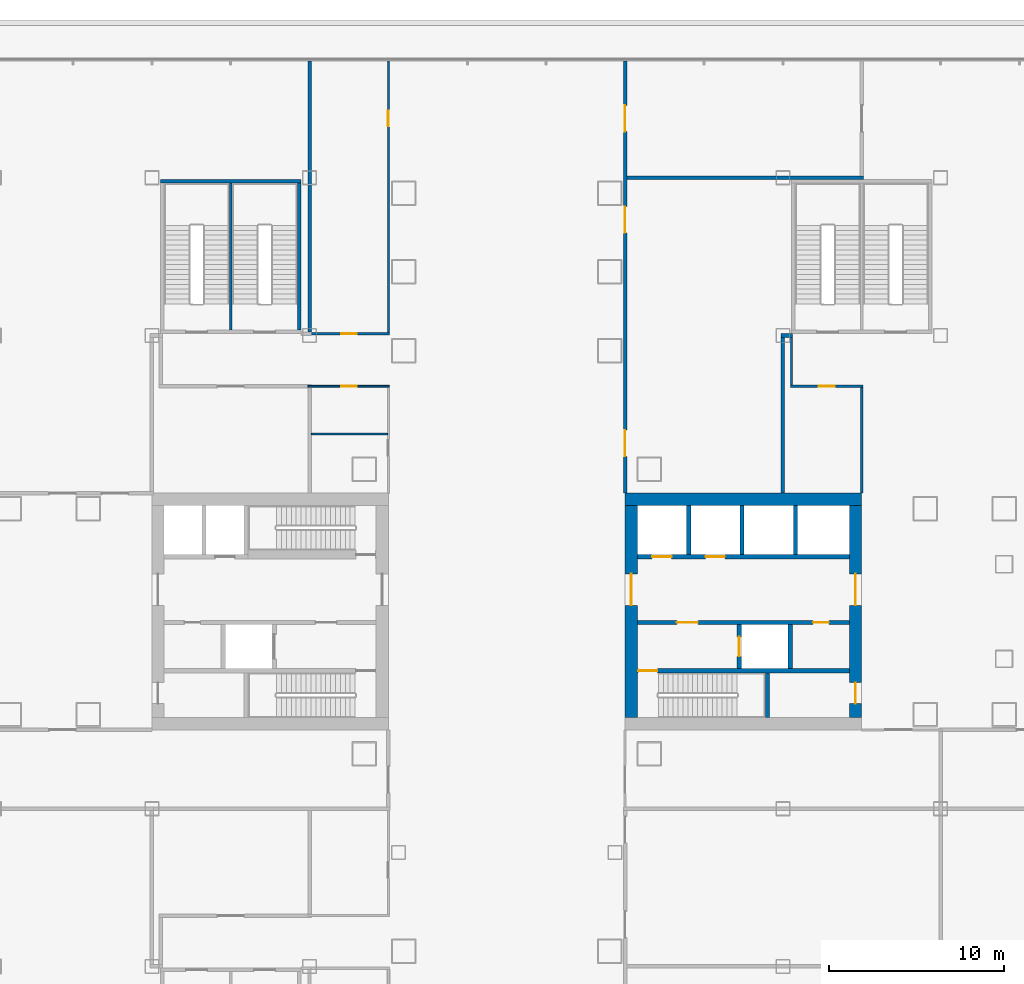
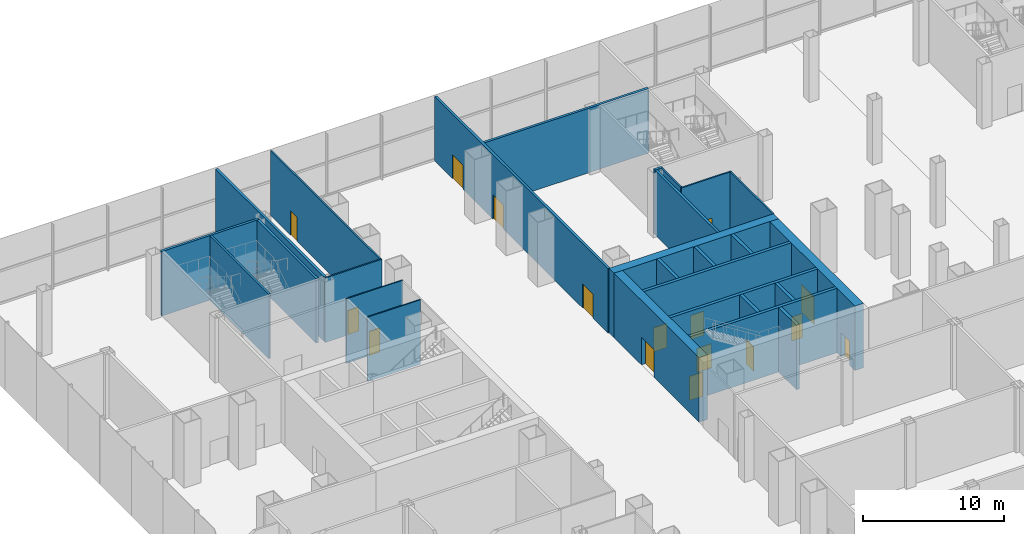
# One storey, part 24 of 38: 27 walls, 16 doors, 16 openings.
"""IFC4 building model written with IfcOpenShell, lengths in metres."""

from ifc_helpers import new_model, si_unit, direction, frame, frame_2d, origin, place, context, subcontext, project, spatial, rectangle, extrude, material, layer, layer_set, type_object, element, fill, save


model = new_model("IFC4")

# Units and contexts
model_context = context("Model", 3, precision=1e-05, world=origin(), true_north=direction((0.0, 1.0)))
body_context = subcontext(model_context, "Body", "Model", "MODEL_VIEW")
ifc_project = project(units=[si_unit("LENGTHUNIT", "METRE"), si_unit("AREAUNIT", "SQUARE_METRE"), si_unit("VOLUMEUNIT", "CUBIC_METRE"), si_unit("PLANEANGLEUNIT", "RADIAN"), si_unit("MASSUNIT", "GRAM", prefix="KILO")], contexts=[model_context])

# Site, building, storey
site_placement = place(None, origin())
site = spatial("IfcSite", under=ifc_project, at=site_placement, CompositionType="ELEMENT")
building_placement = place(site_placement, origin())
building = spatial("IfcBuilding", under=site, at=building_placement, Name="Shamsa Quay Exchange Towers", CompositionType="ELEMENT")
storey_placement = place(building_placement, frame((0.0, 0.0, 12.5)))
storey = spatial("IfcBuildingStorey", under=building, at=storey_placement, Name="L02", CompositionType="ELEMENT", Elevation=12.5)

# Wall, openings, doors
ifc_material_1 = material(Name="Double-leaf gypsum board partition with acoustic insulation")
ifc_layer_1 = layer(ifc_material_1, 0.199951171875)
ifc_layer_set_1 = layer_set([ifc_layer_1], Name="Acoustic partition 200 mm EI 60")
wall_type_1 = type_object("IfcWallType", Name="Acoustic partition 200 mm EI 60", PredefinedType="PARTITIONING", material=ifc_layer_set_1)
wall_1_placement = place(storey_placement, frame((-27.0, 6.75, 0.0), z_axis=(0.0, 0.0, 1.0), x_axis=(0.0, 1.0, 0.0)))
wall_1 = element("IfcWall", 1, at=wall_1_placement, inside=storey, type_object=wall_type_1, Name="Partition PD-L02-W02", PredefinedType="PARTITIONING", context=body_context, shape_type="SweptSolid", body=[
    extrude(rectangle(XDim=24.655029296875, YDim=0.199951171875, at=frame_2d((12.32763671875, 0.0))), origin(), (0.0, 0.0, 1.0), 5.60009765625),
])
opening_1_placement = place(wall_1_placement, frame((2.10009765625, 0.0, 0.0)))
opening_1 = element("IfcOpeningElement", 2, at=opening_1_placement, cuts=wall_1, Name="Opening PD-L02-D20", PredefinedType="OPENING", context=body_context, shape_type="SweptSolid", body=[
    extrude(rectangle(XDim=1.5, YDim=2.10009765625, at=frame_2d((0.75, 1.050048828125))), frame((0.0, 0.10986328125, 0.0), z_axis=(0.0, -1.0, 0.0), x_axis=(1.0, 0.0, 0.0)), (0.0, 0.0, 1.0), 0.219970703125),
])
opening_2_placement = place(wall_1_placement, frame((14.85009765625, 0.0, 0.0)))
opening_2 = element("IfcOpeningElement", 3, at=opening_2_placement, cuts=wall_1, Name="Opening PD-L02-D21", PredefinedType="OPENING", context=body_context, shape_type="SweptSolid", body=[
    extrude(rectangle(XDim=1.5, YDim=2.10009765625, at=frame_2d((0.75, 1.050048828125))), frame((0.0, 0.10986328125, 0.0), z_axis=(0.0, -1.0, 0.0), x_axis=(1.0, 0.0, 0.0)), (0.0, 0.0, 1.0), 0.219970703125),
])
opening_3_placement = place(wall_1_placement, frame((20.625, 0.0, 0.0)))
opening_3 = element("IfcOpeningElement", 4, at=opening_3_placement, cuts=wall_1, Name="Opening PD-L02-D22", PredefinedType="OPENING", context=body_context, shape_type="SweptSolid", body=[
    extrude(rectangle(XDim=1.5, YDim=2.10009765625, at=frame_2d((0.75, 1.050048828125))), frame((0.0, 0.10986328125, 0.0), z_axis=(0.0, -1.0, 0.0), x_axis=(1.0, 0.0, 0.0)), (0.0, 0.0, 1.0), 0.219970703125),
])
ifc_material_2 = material(Name="Timber door leaf in a metal frame", Category="wood")
door_type_1 = type_object("IfcDoorType", Name="Door 1500x2100 FD30S pair", OperationType="NOTDEFINED", PredefinedType="DOOR", material=ifc_material_2)
door_1_placement = place(opening_1_placement, origin())
door_1 = element("IfcDoor", 5, at=door_1_placement, inside=storey, type_object=door_type_1, Name="Door PD-L02-D20", OperationType="DOUBLE_DOOR_SINGLE_SWING", OverallHeight=2.10009765625, OverallWidth=1.5, PredefinedType="DOOR", context=body_context, shape_type="SweptSolid", body=[
    extrude(rectangle(XDim=1.5, YDim=2.10009765625, at=frame_2d((0.75, 1.050048828125))), frame((0.0, 0.02490234375, 0.0), z_axis=(0.0, -1.0, 0.0), x_axis=(1.0, 0.0, 0.0)), (0.0, 0.0, 1.0), 0.050048828125),
])
fill(opening_1, door_1)
door_2_placement = place(opening_2_placement, origin())
door_2 = element("IfcDoor", 6, at=door_2_placement, inside=storey, type_object=door_type_1, Name="Door PD-L02-D21", OperationType="DOUBLE_DOOR_SINGLE_SWING", OverallHeight=2.10009765625, OverallWidth=1.5, PredefinedType="DOOR", context=body_context, shape_type="SweptSolid", body=[
    extrude(rectangle(XDim=1.5, YDim=2.10009765625, at=frame_2d((0.75, 1.050048828125))), frame((0.0, 0.02490234375, 0.0), z_axis=(0.0, -1.0, 0.0), x_axis=(1.0, 0.0, 0.0)), (0.0, 0.0, 1.0), 0.050048828125),
])
fill(opening_2, door_2)
door_3_placement = place(opening_3_placement, origin())
door_3 = element("IfcDoor", 7, at=door_3_placement, inside=storey, type_object=door_type_1, Name="Door PD-L02-D22", OperationType="DOUBLE_DOOR_SINGLE_SWING", OverallHeight=2.10009765625, OverallWidth=1.5, PredefinedType="DOOR", context=body_context, shape_type="SweptSolid", body=[
    extrude(rectangle(XDim=1.5, YDim=2.10009765625, at=frame_2d((0.75, 1.050048828125))), frame((0.0, 0.02490234375, 0.0), z_axis=(0.0, -1.0, 0.0), x_axis=(1.0, 0.0, 0.0)), (0.0, 0.0, 1.0), 0.050048828125),
])
fill(opening_3, door_3)

# Walls
wall_2_placement = place(storey_placement, frame((-45.0, 15.94970703125, 0.0), z_axis=(0.0, 0.0, 1.0), x_axis=(0.0, 1.0, 0.0)))
element("IfcWall", 8, at=wall_2_placement, inside=storey, type_object=wall_type_1, Name="Partition PD-L02-W72", PredefinedType="PARTITIONING", context=body_context, shape_type="SweptSolid", body=[
    extrude(rectangle(XDim=15.455322265625, YDim=0.199951171875, at=frame_2d((7.7275390625, 0.0))), origin(), (0.0, 0.0, 1.0), 5.60009765625),
])
wall_3_placement = place(storey_placement, frame((-18.10009765625, 15.75, 0.0)))
element("IfcWall", 9, at=wall_3_placement, inside=storey, type_object=wall_type_1, Name="Partition PD-L02-W75", PredefinedType="PARTITIONING", context=body_context, shape_type="SweptSolid", body=[
    extrude(rectangle(XDim=0.66259765625, YDim=0.199951171875, at=frame_2d((0.331298828125, 0.0))), origin(), (0.0, 0.0, 1.0), 5.60009765625),
])
wall_4_placement = place(storey_placement, frame((-13.39990234375, 24.75, 0.0), z_axis=(0.0, 0.0, 1.0), x_axis=(-1.0, 0.0, 0.0)))
element("IfcWall", 10, at=wall_4_placement, inside=storey, type_object=wall_type_1, Name="Partition PD-L02-W79", PredefinedType="PARTITIONING", context=body_context, shape_type="SweptSolid", body=[
    extrude(rectangle(XDim=13.5, YDim=0.199951171875, at=frame_2d((6.75, 0.0))), origin(), (0.0, 0.0, 1.0), 5.60009765625),
])
wall_5_placement = place(storey_placement, frame((-18.0, 6.75, 0.0), z_axis=(0.0, 0.0, 1.0), x_axis=(0.0, 1.0, 0.0)))
element("IfcWall", 11, at=wall_5_placement, inside=storey, type_object=wall_type_1, Name="Partition PD-L02-W80", PredefinedType="PARTITIONING", context=body_context, shape_type="SweptSolid", body=[
    extrude(rectangle(XDim=8.89990234375, YDim=0.199951171875, at=frame_2d((4.449951171875, 0.0))), origin(), (0.0, 0.0, 1.0), 5.60009765625),
])
ifc_material_3 = material(Name="Concrete C80/95", Category="concrete")
ifc_layer_2 = layer(ifc_material_3, 0.699951171875)
ifc_layer_set_2 = layer_set([ifc_layer_2], Name="CORE WALL 700 C80/95")
wall_type_2 = type_object("IfcWallType", Name="CORE WALL 700 C80/95", PredefinedType="SHEAR", material=ifc_layer_set_2)
wall_6_placement = place(storey_placement, frame((-27.0, 6.39990234375, 0.0)))
element("IfcWall", 12, at=wall_6_placement, inside=storey, type_object=wall_type_2, Name="Core wall T1A-L02-PN", PredefinedType="SHEAR", context=body_context, shape_type="SweptSolid", body=[
    extrude(rectangle(XDim=13.5, YDim=0.699951171875, at=frame_2d((6.75, 0.0))), origin(), (0.0, 0.0, 1.0), 5.60009765625),
])

# Wall, opening, door
wall_7_placement = place(storey_placement, frame((-26.64990234375, 6.050048828125, 0.0), z_axis=(0.0, 0.0, 1.0), x_axis=(0.0, -1.0, 0.0)))
wall_7 = element("IfcWall", 13, at=wall_7_placement, inside=storey, type_object=wall_type_2, Name="Core wall T1A-L02-PF", PredefinedType="SHEAR", context=body_context, shape_type="SweptSolid", body=[
    extrude(rectangle(XDim=12.10009765625, YDim=0.699951171875, at=frame_2d((6.050048828125, 0.0))), origin(), (0.0, 0.0, 1.0), 5.60009765625),
])
opening_4_placement = place(wall_7_placement, frame((3.89990234375, 0.0, 0.0)))
opening_4 = element("IfcOpeningElement", 14, at=opening_4_placement, cuts=wall_7, Name="Opening T1A-L02-LBD01", PredefinedType="OPENING", context=body_context, shape_type="SweptSolid", body=[
    extrude(rectangle(XDim=1.800048828125, YDim=2.39990234375, at=frame_2d((0.89990234375, 1.199951171875))), frame((0.0, 0.35986328125, 0.0), z_axis=(0.0, -1.0, 0.0), x_axis=(1.0, 0.0, 0.0)), (0.0, 0.0, 1.0), 0.719970703125),
])
ifc_material_4 = material(Name="Steel, fire rated", Category="steel")
door_type_2 = type_object("IfcDoorType", Name="LIFT LOBBY DOOR PAIR 1800", OperationType="DOUBLE_DOOR_SINGLE_SWING", PredefinedType="DOOR", material=ifc_material_4)
door_4_placement = place(opening_4_placement, origin())
door_4 = element("IfcDoor", 15, at=door_4_placement, inside=storey, type_object=door_type_2, Name="T1A-L02-LBD01", OperationType="DOUBLE_DOOR_SINGLE_SWING", OverallHeight=2.39990234375, OverallWidth=1.800048828125, PredefinedType="DOOR", context=body_context, shape_type="SweptSolid", body=[
    extrude(rectangle(XDim=1.800048828125, YDim=2.39990234375, at=frame_2d((0.89990234375, 1.199951171875))), frame((0.0, 0.02490234375, 0.0), z_axis=(0.0, -1.0, 0.0), x_axis=(1.0, 0.0, 0.0)), (0.0, 0.0, 1.0), 0.050048828125),
])
fill(opening_4, door_4)

# Wall, openings, doors
wall_8_placement = place(storey_placement, frame((-13.85009765625, 6.050048828125, 0.0), z_axis=(0.0, 0.0, 1.0), x_axis=(0.0, -1.0, 0.0)))
wall_8 = element("IfcWall", 16, at=wall_8_placement, inside=storey, type_object=wall_type_2, Name="Core wall T1A-L02-PB", PredefinedType="SHEAR", context=body_context, shape_type="SweptSolid", body=[
    extrude(rectangle(XDim=12.10009765625, YDim=0.699951171875, at=frame_2d((6.050048828125, 0.0))), origin(), (0.0, 0.0, 1.0), 5.60009765625),
])
opening_5_placement = place(wall_8_placement, frame((10.10009765625, 0.0, 0.0)))
opening_5 = element("IfcOpeningElement", 17, at=opening_5_placement, cuts=wall_8, Name="Opening T1A-L02-RD02", PredefinedType="OPENING", context=body_context, shape_type="SweptSolid", body=[
    extrude(rectangle(XDim=1.199951171875, YDim=2.10009765625, at=frame_2d((0.60009765625, 1.050048828125))), frame((0.0, 0.35986328125, 0.0), z_axis=(0.0, -1.0, 0.0), x_axis=(1.0, 0.0, 0.0)), (0.0, 0.0, 1.0), 0.719970703125),
])
opening_6_placement = place(wall_8_placement, frame((3.89990234375, 0.0, 0.0)))
opening_6 = element("IfcOpeningElement", 18, at=opening_6_placement, cuts=wall_8, Name="Opening T1A-L02-LBD03", PredefinedType="OPENING", context=body_context, shape_type="SweptSolid", body=[
    extrude(rectangle(XDim=1.800048828125, YDim=2.39990234375, at=frame_2d((0.89990234375, 1.199951171875))), frame((0.0, 0.35986328125, 0.0), z_axis=(0.0, -1.0, 0.0), x_axis=(1.0, 0.0, 0.0)), (0.0, 0.0, 1.0), 0.719970703125),
])
door_5_placement = place(opening_6_placement, origin())
door_5 = element("IfcDoor", 19, at=door_5_placement, inside=storey, type_object=door_type_2, Name="T1A-L02-LBD03", OperationType="DOUBLE_DOOR_SINGLE_SWING", OverallHeight=2.39990234375, OverallWidth=1.800048828125, PredefinedType="DOOR", context=body_context, shape_type="SweptSolid", body=[
    extrude(rectangle(XDim=1.800048828125, YDim=2.39990234375, at=frame_2d((0.89990234375, 1.199951171875))), frame((0.0, 0.02490234375, 0.0), z_axis=(0.0, -1.0, 0.0), x_axis=(1.0, 0.0, 0.0)), (0.0, 0.0, 1.0), 0.050048828125),
])
fill(opening_6, door_5)
door_type_3 = type_object("IfcDoorType", Name="RISER ACCESS DOOR 1200", OperationType="SINGLE_SWING_LEFT", PredefinedType="DOOR", material=ifc_material_4)
door_6_placement = place(opening_5_placement, origin())
door_6 = element("IfcDoor", 20, at=door_6_placement, inside=storey, type_object=door_type_3, Name="T1A-L02-RD02", OperationType="SINGLE_SWING_RIGHT", OverallHeight=2.10009765625, OverallWidth=1.199951171875, PredefinedType="DOOR", context=body_context, shape_type="SweptSolid", body=[
    extrude(rectangle(XDim=1.199951171875, YDim=2.10009765625, at=frame_2d((0.60009765625, 1.050048828125))), frame((0.0, 0.02490234375, 0.0), z_axis=(0.0, -1.0, 0.0), x_axis=(1.0, 0.0, 0.0)), (0.0, 0.0, 1.0), 0.050048828125),
])
fill(opening_5, door_6)

# Wall, opening, door
ifc_material_5 = material(Name="Laminated fire-resisting glass in a metal frame", Category="glass")
ifc_layer_3 = layer(ifc_material_5, 0.125)
ifc_layer_set_3 = layer_set([ifc_layer_3], Name="Glazed partition 125 mm EI 60")
wall_type_3 = type_object("IfcWallType", Name="Glazed partition 125 mm EI 60", PredefinedType="PARTITIONING", material=ifc_layer_set_3)
wall_9_placement = place(storey_placement, frame((-40.5, 31.405029296875, 0.0), z_axis=(0.0, 0.0, 1.0), x_axis=(0.0, -1.0, 0.0)))
wall_9 = element("IfcWall", 21, at=wall_9_placement, inside=storey, type_object=wall_type_3, Name="Partition PD-L02-W06", PredefinedType="PARTITIONING", context=body_context, shape_type="SweptSolid", body=[
    extrude(rectangle(XDim=15.492919921875, YDim=0.125, at=frame_2d((7.74658203125, 0.0))), origin(), (0.0, 0.0, 1.0), 5.60009765625),
])
opening_7_placement = place(wall_9_placement, frame((2.830078125, 0.0, 0.0)))
opening_7 = element("IfcOpeningElement", 22, at=opening_7_placement, cuts=wall_9, Name="Opening PD-L02-D15", PredefinedType="OPENING", context=body_context, shape_type="SweptSolid", body=[
    extrude(rectangle(XDim=0.89990234375, YDim=2.10009765625, at=frame_2d((0.449951171875, 1.050048828125))), frame((0.0, 0.072509765625, 0.0), z_axis=(0.0, -1.0, 0.0), x_axis=(1.0, 0.0, 0.0)), (0.0, 0.0, 1.0), 0.14501953125),
])
door_type_4 = type_object("IfcDoorType", Name="Door 900x2100 FD30S", OperationType="NOTDEFINED", PredefinedType="DOOR", material=ifc_material_2)
door_7_placement = place(opening_7_placement, origin())
door_7 = element("IfcDoor", 23, at=door_7_placement, inside=storey, type_object=door_type_4, Name="Door PD-L02-D15", OperationType="SINGLE_SWING_RIGHT", OverallHeight=2.10009765625, OverallWidth=0.89990234375, PredefinedType="DOOR", context=body_context, shape_type="SweptSolid", body=[
    extrude(rectangle(XDim=0.89990234375, YDim=2.10009765625, at=frame_2d((0.449951171875, 1.050048828125))), frame((0.0, 0.02490234375, 0.0), z_axis=(0.0, -1.0, 0.0), x_axis=(1.0, 0.0, 0.0)), (0.0, 0.0, 1.0), 0.050048828125),
])
fill(opening_7, door_7)

# Wall
wall_10_placement = place(storey_placement, frame((-13.5, 6.75, 0.0), z_axis=(0.0, 0.0, 1.0), x_axis=(0.0, 1.0, 0.0)))
element("IfcWall", 24, at=wall_10_placement, inside=storey, type_object=wall_type_3, Name="Partition PD-L02-W24", PredefinedType="PARTITIONING", context=body_context, shape_type="SweptSolid", body=[
    extrude(rectangle(XDim=6.037109375, YDim=0.125, at=frame_2d((3.0185546875, 0.0))), origin(), (0.0, 0.0, 1.0), 5.60009765625),
])

# Wall, opening, door
wall_11_placement = place(storey_placement, frame((-40.4375, 15.849609375, 0.0), z_axis=(0.0, 0.0, 1.0), x_axis=(-1.0, 0.0, 0.0)))
wall_11 = element("IfcWall", 25, at=wall_11_placement, inside=storey, type_object=wall_type_3, Name="Partition PD-L02-W37", PredefinedType="PARTITIONING", context=body_context, shape_type="SweptSolid", body=[
    extrude(rectangle(XDim=4.66259765625, YDim=0.125, at=frame_2d((2.331298828125, 0.0))), origin(), (0.0, 0.0, 1.0), 5.60009765625),
])
opening_8_placement = place(wall_11_placement, frame((1.862548828125, 0.0, 0.0)))
opening_8 = element("IfcOpeningElement", 26, at=opening_8_placement, cuts=wall_11, Name="Opening PD-L02-D14", PredefinedType="OPENING", context=body_context, shape_type="SweptSolid", body=[
    extrude(rectangle(XDim=0.89990234375, YDim=2.10009765625, at=frame_2d((0.449951171875, 1.050048828125))), frame((0.0, 0.072509765625, 0.0), z_axis=(0.0, -1.0, 0.0), x_axis=(1.0, 0.0, 0.0)), (0.0, 0.0, 1.0), 0.14501953125),
])
door_8_placement = place(opening_8_placement, origin())
door_8 = element("IfcDoor", 27, at=door_8_placement, inside=storey, type_object=door_type_4, Name="Door PD-L02-D14", OperationType="SINGLE_SWING_RIGHT", OverallHeight=2.10009765625, OverallWidth=0.89990234375, PredefinedType="DOOR", context=body_context, shape_type="SweptSolid", body=[
    extrude(rectangle(XDim=0.89990234375, YDim=2.10009765625, at=frame_2d((0.449951171875, 1.050048828125))), frame((0.0, 0.02490234375, 0.0), z_axis=(0.0, -1.0, 0.0), x_axis=(1.0, 0.0, 0.0)), (0.0, 0.0, 1.0), 0.050048828125),
])
fill(opening_8, door_8)

wall_12_placement = place(storey_placement, frame((-13.4375, 12.849609375, 0.0), z_axis=(0.0, 0.0, 1.0), x_axis=(-1.0, 0.0, 0.0)))
wall_12 = element("IfcWall", 28, at=wall_12_placement, inside=storey, type_object=wall_type_3, Name="Partition PD-L02-W44", PredefinedType="PARTITIONING", context=body_context, shape_type="SweptSolid", body=[
    extrude(rectangle(XDim=4.125, YDim=0.125, at=frame_2d((2.0625, 0.0))), origin(), (0.0, 0.0, 1.0), 5.60009765625),
])
opening_9_placement = place(wall_12_placement, frame((1.612548828125, 0.0, 0.0)))
opening_9 = element("IfcOpeningElement", 29, at=opening_9_placement, cuts=wall_12, Name="Opening PD-L02-D24", PredefinedType="OPENING", context=body_context, shape_type="SweptSolid", body=[
    extrude(rectangle(XDim=0.89990234375, YDim=2.10009765625, at=frame_2d((0.449951171875, 1.050048828125))), frame((0.0, 0.072509765625, 0.0), z_axis=(0.0, -1.0, 0.0), x_axis=(1.0, 0.0, 0.0)), (0.0, 0.0, 1.0), 0.14501953125),
])
door_9_placement = place(opening_9_placement, origin())
door_9 = element("IfcDoor", 30, at=door_9_placement, inside=storey, type_object=door_type_4, Name="Door PD-L02-D24", OperationType="SINGLE_SWING_LEFT", OverallHeight=2.10009765625, OverallWidth=0.89990234375, PredefinedType="DOOR", context=body_context, shape_type="SweptSolid", body=[
    extrude(rectangle(XDim=0.89990234375, YDim=2.10009765625, at=frame_2d((0.449951171875, 1.050048828125))), frame((0.0, 0.02490234375, 0.0), z_axis=(0.0, -1.0, 0.0), x_axis=(1.0, 0.0, 0.0)), (0.0, 0.0, 1.0), 0.050048828125),
])
fill(opening_9, door_9)

# Wall
wall_13_placement = place(storey_placement, frame((-17.5, 12.912109375, 0.0), z_axis=(0.0, 0.0, 1.0), x_axis=(0.0, 1.0, 0.0)))
element("IfcWall", 31, at=wall_13_placement, inside=storey, type_object=wall_type_3, Name="Partition PD-L02-W45", PredefinedType="PARTITIONING", context=body_context, shape_type="SweptSolid", body=[
    extrude(rectangle(XDim=2.73779296875, YDim=0.125, at=frame_2d((1.368896484375, 0.0))), origin(), (0.0, 0.0, 1.0), 5.60009765625),
])

# Wall, opening, door
ifc_material_6 = material(Name="Gypsum board partition on metal studs")
ifc_layer_4 = layer(ifc_material_6, 0.10009765625)
ifc_layer_set_4 = layer_set([ifc_layer_4], Name="Partition 100 mm NOT RATED")
wall_type_4 = type_object("IfcWallType", Name="Partition 100 mm NOT RATED", PredefinedType="PARTITIONING", material=ifc_layer_set_4)
wall_14_placement = place(storey_placement, frame((-40.449951171875, 12.849609375, 0.0), z_axis=(0.0, 0.0, 1.0), x_axis=(-1.0, 0.0, 0.0)))
wall_14 = element("IfcWall", 32, at=wall_14_placement, inside=storey, type_object=wall_type_4, Name="Partition PD-L02-W41", PredefinedType="PARTITIONING", context=body_context, shape_type="SweptSolid", body=[
    extrude(rectangle(XDim=4.650146484375, YDim=0.10009765625, at=frame_2d((2.3251953125, 0.0))), origin(), (0.0, 0.0, 1.0), 5.60009765625),
])
opening_10_placement = place(wall_14_placement, frame((1.85009765625, 0.0, 0.0)))
opening_10 = element("IfcOpeningElement", 33, at=opening_10_placement, cuts=wall_14, Name="Opening PD-L02-D13", PredefinedType="OPENING", context=body_context, shape_type="SweptSolid", body=[
    extrude(rectangle(XDim=0.89990234375, YDim=2.10009765625, at=frame_2d((0.449951171875, 1.050048828125))), frame((0.0, 0.06005859375, 0.0), z_axis=(0.0, -1.0, 0.0), x_axis=(1.0, 0.0, 0.0)), (0.0, 0.0, 1.0), 0.1201171875),
])
door_type_5 = type_object("IfcDoorType", Name="Door 900x2100 NOT RATED", OperationType="NOTDEFINED", PredefinedType="DOOR", material=ifc_material_2)
door_10_placement = place(opening_10_placement, origin())
door_10 = element("IfcDoor", 34, at=door_10_placement, inside=storey, type_object=door_type_5, Name="Door PD-L02-D13", OperationType="SINGLE_SWING_LEFT", OverallHeight=2.10009765625, OverallWidth=0.89990234375, PredefinedType="DOOR", context=body_context, shape_type="SweptSolid", body=[
    extrude(rectangle(XDim=0.89990234375, YDim=2.10009765625, at=frame_2d((0.449951171875, 1.050048828125))), frame((0.0, 0.02490234375, 0.0), z_axis=(0.0, -1.0, 0.0), x_axis=(1.0, 0.0, 0.0)), (0.0, 0.0, 1.0), 0.050048828125),
])
fill(opening_10, door_10)

# Wall
wall_15_placement = place(storey_placement, frame((-40.550048828125, 10.125, 0.0), z_axis=(0.0, 0.0, 1.0), x_axis=(-1.0, 0.0, 0.0)))
element("IfcWall", 35, at=wall_15_placement, inside=storey, type_object=wall_type_4, Name="Partition PD-L02-W96", PredefinedType="PARTITIONING", context=body_context, shape_type="SweptSolid", body=[
    extrude(rectangle(XDim=4.349853515625, YDim=0.10009765625, at=frame_2d((2.1748046875, 0.0))), origin(), (0.0, 0.0, 1.0), 5.60009765625),
])

# Wall, opening, door
ifc_material_7 = material(Name="Concrete C50/60", Category="concrete")
ifc_layer_5 = layer(ifc_material_7, 0.25)
ifc_layer_set_5 = layer_set([ifc_layer_5], Name="SHAFT WALL 250 C50/60")
wall_type_5 = type_object("IfcWallType", Name="SHAFT WALL 250 C50/60", PredefinedType="SHEAR", material=ifc_layer_set_5)
wall_16_placement = place(storey_placement, frame((-14.199951171875, -3.375, 0.0), z_axis=(0.0, 0.0, 1.0), x_axis=(-1.0, 0.0, 0.0)))
wall_16 = element("IfcWall", 36, at=wall_16_placement, inside=storey, type_object=wall_type_5, Name="Shaft wall T1A-L02-STL", PredefinedType="SHEAR", context=body_context, shape_type="SweptSolid", body=[
    extrude(rectangle(XDim=12.10009765625, YDim=0.25, at=frame_2d((6.050048828125, 0.0))), origin(), (0.0, 0.0, 1.0), 5.60009765625),
])
opening_11_placement = place(wall_16_placement, frame((10.949951171875, 0.0, 0.0)))
opening_11 = element("IfcOpeningElement", 37, at=opening_11_placement, cuts=wall_16, Name="Opening T1A-L02-SD04", PredefinedType="OPENING", context=body_context, shape_type="SweptSolid", body=[
    extrude(rectangle(XDim=1.10009765625, YDim=2.10009765625, at=frame_2d((0.550048828125, 1.050048828125))), frame((0.0, 0.135009765625, 0.0), z_axis=(0.0, -1.0, 0.0), x_axis=(1.0, 0.0, 0.0)), (0.0, 0.0, 1.0), 0.27001953125),
])
door_type_6 = type_object("IfcDoorType", Name="STAIR DOOR 1100", OperationType="SINGLE_SWING_LEFT", PredefinedType="DOOR", material=ifc_material_4)
door_11_placement = place(opening_11_placement, origin())
door_11 = element("IfcDoor", 38, at=door_11_placement, inside=storey, type_object=door_type_6, Name="T1A-L02-SD04", OperationType="SINGLE_SWING_RIGHT", OverallHeight=2.10009765625, OverallWidth=1.10009765625, PredefinedType="DOOR", context=body_context, shape_type="SweptSolid", body=[
    extrude(rectangle(XDim=1.10009765625, YDim=2.10009765625, at=frame_2d((0.550048828125, 1.050048828125))), frame((0.0, 0.02490234375, 0.0), z_axis=(0.0, -1.0, 0.0), x_axis=(1.0, 0.0, 0.0)), (0.0, 0.0, 1.0), 0.050048828125),
])
fill(opening_11, door_11)

# Wall
wall_17_placement = place(storey_placement, frame((-18.875, -6.050048828125, 0.0), z_axis=(0.0, 0.0, 1.0), x_axis=(0.0, 1.0, 0.0)))
element("IfcWall", 39, at=wall_17_placement, inside=storey, type_object=wall_type_5, Name="Shaft wall T1A-L02-STF", PredefinedType="SHEAR", context=body_context, shape_type="SweptSolid", body=[
    extrude(rectangle(XDim=2.550048828125, YDim=0.25, at=frame_2d((1.27490234375, 0.0))), origin(), (0.0, 0.0, 1.0), 5.60009765625),
])

# Wall, openings, doors
wall_18_placement = place(storey_placement, frame((-14.199951171875, -0.625, 0.0), z_axis=(0.0, 0.0, 1.0), x_axis=(-1.0, 0.0, 0.0)))
wall_18 = element("IfcWall", 40, at=wall_18_placement, inside=storey, type_object=wall_type_5, Name="Shaft wall T1A-L02-B", PredefinedType="SHEAR", context=body_context, shape_type="SweptSolid", body=[
    extrude(rectangle(XDim=12.10009765625, YDim=0.25, at=frame_2d((6.050048828125, 0.0))), origin(), (0.0, 0.0, 1.0), 5.60009765625),
])
opening_12_placement = place(wall_18_placement, frame((8.64990234375, 0.0, 0.0)))
opening_12 = element("IfcOpeningElement", 41, at=opening_12_placement, cuts=wall_18, Name="Opening T1A-L02-FD05", PredefinedType="OPENING", context=body_context, shape_type="SweptSolid", body=[
    extrude(rectangle(XDim=1.199951171875, YDim=2.10009765625, at=frame_2d((0.60009765625, 1.050048828125))), frame((0.0, 0.135009765625, 0.0), z_axis=(0.0, -1.0, 0.0), x_axis=(1.0, 0.0, 0.0)), (0.0, 0.0, 1.0), 0.27001953125),
])
opening_13_placement = place(wall_18_placement, frame((1.175048828125, 0.0, 0.0)))
opening_13 = element("IfcOpeningElement", 42, at=opening_13_placement, cuts=wall_18, Name="Opening T1A-L02-SV06", PredefinedType="OPENING", context=body_context, shape_type="SweptSolid", body=[
    extrude(rectangle(XDim=0.89990234375, YDim=2.10009765625, at=frame_2d((0.449951171875, 1.050048828125))), frame((0.0, 0.135009765625, 0.0), z_axis=(0.0, -1.0, 0.0), x_axis=(1.0, 0.0, 0.0)), (0.0, 0.0, 1.0), 0.27001953125),
])
door_type_7 = type_object("IfcDoorType", Name="FIRE SERVICE LOBBY DOOR 1200", OperationType="SINGLE_SWING_LEFT", PredefinedType="DOOR", material=ifc_material_4)
door_12_placement = place(opening_12_placement, origin())
door_12 = element("IfcDoor", 43, at=door_12_placement, inside=storey, type_object=door_type_7, Name="T1A-L02-FD05", OperationType="SINGLE_SWING_RIGHT", OverallHeight=2.10009765625, OverallWidth=1.199951171875, PredefinedType="DOOR", context=body_context, shape_type="SweptSolid", body=[
    extrude(rectangle(XDim=1.199951171875, YDim=2.10009765625, at=frame_2d((0.60009765625, 1.050048828125))), frame((0.0, 0.02490234375, 0.0), z_axis=(0.0, -1.0, 0.0), x_axis=(1.0, 0.0, 0.0)), (0.0, 0.0, 1.0), 0.050048828125),
])
fill(opening_12, door_12)
door_type_8 = type_object("IfcDoorType", Name="SERVICE ROOM DOOR 900", OperationType="SINGLE_SWING_LEFT", PredefinedType="DOOR", material=ifc_material_4)
door_13_placement = place(opening_13_placement, origin())
door_13 = element("IfcDoor", 44, at=door_13_placement, inside=storey, type_object=door_type_8, Name="T1A-L02-SV06", OperationType="SINGLE_SWING_LEFT", OverallHeight=2.10009765625, OverallWidth=0.89990234375, PredefinedType="DOOR", context=body_context, shape_type="SweptSolid", body=[
    extrude(rectangle(XDim=0.89990234375, YDim=2.10009765625, at=frame_2d((0.449951171875, 1.050048828125))), frame((0.0, 0.02490234375, 0.0), z_axis=(0.0, -1.0, 0.0), x_axis=(1.0, 0.0, 0.0)), (0.0, 0.0, 1.0), 0.050048828125),
])
fill(opening_13, door_13)

# Wall, opening, door
wall_19_placement = place(storey_placement, frame((-20.47509765625, -3.25, 0.0), z_axis=(0.0, 0.0, 1.0), x_axis=(0.0, 1.0, 0.0)))
wall_19 = element("IfcWall", 45, at=wall_19_placement, inside=storey, type_object=wall_type_5, Name="Shaft wall T1A-L02-FFF", PredefinedType="SHEAR", context=body_context, shape_type="SweptSolid", body=[
    extrude(rectangle(XDim=2.5, YDim=0.25, at=frame_2d((1.25, 0.0))), origin(), (0.0, 0.0, 1.0), 5.60009765625),
])
opening_14_placement = place(wall_19_placement, frame((0.699951171875, 0.0, 0.0)))
opening_14 = element("IfcOpeningElement", 46, at=opening_14_placement, cuts=wall_19, Name="Opening T1A-L02-LDF07", PredefinedType="OPENING", context=body_context, shape_type="SweptSolid", body=[
    extrude(rectangle(XDim=1.10009765625, YDim=2.10009765625, at=frame_2d((0.550048828125, 1.050048828125))), frame((0.0, 0.135009765625, 0.0), z_axis=(0.0, -1.0, 0.0), x_axis=(1.0, 0.0, 0.0)), (0.0, 0.0, 1.0), 0.27001953125),
])
door_type_9 = type_object("IfcDoorType", Name="FIRE SERVICE LANDING DOOR 1100", OperationType="SLIDING_TO_LEFT", PredefinedType="DOOR", material=ifc_material_4)
door_14_placement = place(opening_14_placement, origin())
door_14 = element("IfcDoor", 47, at=door_14_placement, inside=storey, type_object=door_type_9, Name="T1A-L02-LDF07", OperationType="SLIDING_TO_LEFT", OverallHeight=2.10009765625, OverallWidth=1.10009765625, PredefinedType="DOOR", context=body_context, shape_type="SweptSolid", body=[
    extrude(rectangle(XDim=1.10009765625, YDim=2.10009765625, at=frame_2d((0.550048828125, 1.050048828125))), frame((0.0, 0.02490234375, 0.0), z_axis=(0.0, -1.0, 0.0), x_axis=(1.0, 0.0, 0.0)), (0.0, 0.0, 1.0), 0.050048828125),
])
fill(opening_14, door_14)

# Wall
wall_20_placement = place(storey_placement, frame((-17.574951171875, -3.25, 0.0), z_axis=(0.0, 0.0, 1.0), x_axis=(0.0, 1.0, 0.0)))
element("IfcWall", 48, at=wall_20_placement, inside=storey, type_object=wall_type_5, Name="Shaft wall T1A-L02-FFB", PredefinedType="SHEAR", context=body_context, shape_type="SweptSolid", body=[
    extrude(rectangle(XDim=2.5, YDim=0.25, at=frame_2d((1.25, 0.0))), origin(), (0.0, 0.0, 1.0), 5.60009765625),
])

# Wall, openings, doors
wall_21_placement = place(storey_placement, frame((-26.300048828125, 3.125, 0.0)))
wall_21 = element("IfcWall", 49, at=wall_21_placement, inside=storey, type_object=wall_type_5, Name="Shaft wall T1A-L02-N", PredefinedType="SHEAR", context=body_context, shape_type="SweptSolid", body=[
    extrude(rectangle(XDim=12.10009765625, YDim=0.25, at=frame_2d((6.050048828125, 0.0))), origin(), (0.0, 0.0, 1.0), 5.60009765625),
])
opening_15_placement = place(wall_21_placement, frame((0.85009765625, 0.0, 0.0)))
opening_15 = element("IfcOpeningElement", 50, at=opening_15_placement, cuts=wall_21, Name="Opening T1A-L02-LD08", PredefinedType="OPENING", context=body_context, shape_type="SweptSolid", body=[
    extrude(rectangle(XDim=1.10009765625, YDim=2.10009765625, at=frame_2d((0.550048828125, 1.050048828125))), frame((0.0, 0.135009765625, 0.0), z_axis=(0.0, -1.0, 0.0), x_axis=(1.0, 0.0, 0.0)), (0.0, 0.0, 1.0), 0.27001953125),
])
opening_16_placement = place(wall_21_placement, frame((3.89990234375, 0.0, 0.0)))
opening_16 = element("IfcOpeningElement", 51, at=opening_16_placement, cuts=wall_21, Name="Opening T1A-L02-LD09", PredefinedType="OPENING", context=body_context, shape_type="SweptSolid", body=[
    extrude(rectangle(XDim=1.10009765625, YDim=2.10009765625, at=frame_2d((0.550048828125, 1.050048828125))), frame((0.0, 0.135009765625, 0.0), z_axis=(0.0, -1.0, 0.0), x_axis=(1.0, 0.0, 0.0)), (0.0, 0.0, 1.0), 0.27001953125),
])
door_type_10 = type_object("IfcDoorType", Name="LANDING DOOR 1100", OperationType="SLIDING_TO_LEFT", PredefinedType="DOOR", material=ifc_material_4)
door_15_placement = place(opening_15_placement, origin())
door_15 = element("IfcDoor", 52, at=door_15_placement, inside=storey, type_object=door_type_10, Name="T1A-L02-LD08", OperationType="SLIDING_TO_LEFT", OverallHeight=2.10009765625, OverallWidth=1.10009765625, PredefinedType="DOOR", context=body_context, shape_type="SweptSolid", body=[
    extrude(rectangle(XDim=1.10009765625, YDim=2.10009765625, at=frame_2d((0.550048828125, 1.050048828125))), frame((0.0, 0.02490234375, 0.0), z_axis=(0.0, -1.0, 0.0), x_axis=(1.0, 0.0, 0.0)), (0.0, 0.0, 1.0), 0.050048828125),
])
fill(opening_15, door_15)
door_16_placement = place(opening_16_placement, origin())
door_16 = element("IfcDoor", 53, at=door_16_placement, inside=storey, type_object=door_type_10, Name="T1A-L02-LD09", OperationType="SLIDING_TO_LEFT", OverallHeight=2.10009765625, OverallWidth=1.10009765625, PredefinedType="DOOR", context=body_context, shape_type="SweptSolid", body=[
    extrude(rectangle(XDim=1.10009765625, YDim=2.10009765625, at=frame_2d((0.550048828125, 1.050048828125))), frame((0.0, 0.02490234375, 0.0), z_axis=(0.0, -1.0, 0.0), x_axis=(1.0, 0.0, 0.0)), (0.0, 0.0, 1.0), 0.050048828125),
])
fill(opening_16, door_16)

# Walls
for number, where, z_axis, x_axis, name in (
    (54, (-23.375, 3.25, 0.0), (0.0, 0.0, 1.0), (0.0, 1.0, 0.0), "Shaft wall T1A-L02-D0"),
    (55, (-20.324951171875, 3.25, 0.0), (0.0, 0.0, 1.0), (0.0, 1.0, 0.0), "Shaft wall T1A-L02-D1"),
    (56, (-17.27490234375, 3.25, 0.0), (0.0, 0.0, 1.0), (0.0, 1.0, 0.0), "Shaft wall T1A-L02-D2"),
):
    element("IfcWall", number, at=place(storey_placement, frame(where, z_axis=z_axis, x_axis=x_axis)), inside=storey, type_object=wall_type_5, Name=name, PredefinedType="SHEAR", context=body_context, shape_type="SweptSolid", body=[
        extrude(rectangle(XDim=2.800048828125, YDim=0.25, at=frame_2d((1.39990234375, 0.0))), origin(), (0.0, 0.0, 1.0), 5.60009765625),
    ])
ifc_layer_6 = layer(ifc_material_7, 0.199951171875)
ifc_layer_set_6 = layer_set([ifc_layer_6], Name="STAIR ENCLOSURE WALL 200 C50/60")
wall_type_6 = type_object("IfcWallType", Name="STAIR ENCLOSURE WALL 200 C50/60", PredefinedType="SHEAR", material=ifc_layer_set_6)
wall_22_placement = place(storey_placement, frame((-53.5, 24.550048828125, 0.0)))
element("IfcWall", 57, at=wall_22_placement, inside=storey, type_object=wall_type_6, Name="Stair enclosure wall PS1 outward", PredefinedType="SHEAR", context=body_context, shape_type="SweptSolid", body=[
    extrude(rectangle(XDim=8.0, YDim=0.199951171875, at=frame_2d((4.0, 0.0))), origin(), (0.0, 0.0, 1.0), 5.60009765625),
])
wall_23_placement = place(storey_placement, frame((-45.60009765625, 16.050048828125, 0.0), z_axis=(0.0, 0.0, 1.0), x_axis=(0.0, 1.0, 0.0)))
element("IfcWall", 58, at=wall_23_placement, inside=storey, type_object=wall_type_6, Name="Stair enclosure wall PS1 east", PredefinedType="SHEAR", context=body_context, shape_type="SweptSolid", body=[
    extrude(rectangle(XDim=8.39990234375, YDim=0.199951171875, at=frame_2d((4.199951171875, 0.0))), origin(), (0.0, 0.0, 1.0), 5.60009765625),
])
ifc_layer_7 = layer(ifc_material_7, 0.14990234375)
ifc_layer_set_7 = layer_set([ifc_layer_7], Name="STAIR PARTITION WALL 150 C50/60")
wall_type_7 = type_object("IfcWallType", Name="STAIR PARTITION WALL 150 C50/60", PredefinedType="SHEAR", material=ifc_layer_set_7)
wall_24_placement = place(storey_placement, frame((-49.5, 16.050048828125, 0.0), z_axis=(0.0, 0.0, 1.0), x_axis=(0.0, 1.0, 0.0)))
element("IfcWall", 59, at=wall_24_placement, inside=storey, type_object=wall_type_7, Name="Stair enclosure wall PS1 between the stairs", PredefinedType="SHEAR", context=body_context, shape_type="SweptSolid", body=[
    extrude(rectangle(XDim=8.39990234375, YDim=0.14990234375, at=frame_2d((4.199951171875, 0.0))), origin(), (0.0, 0.0, 1.0), 5.60009765625),
])

save(model, "model.ifc")
